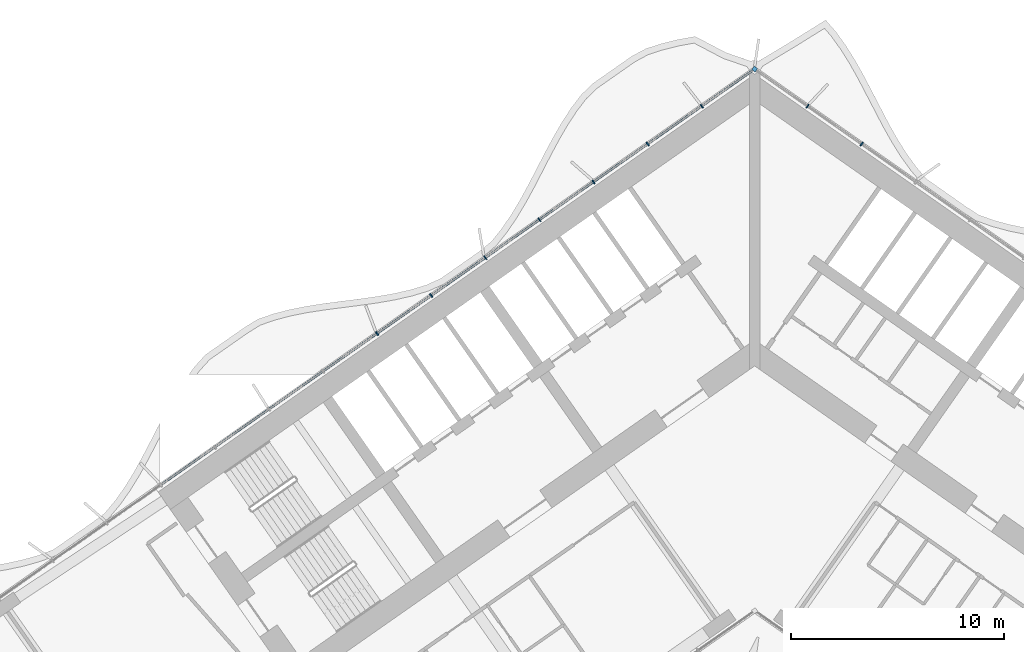
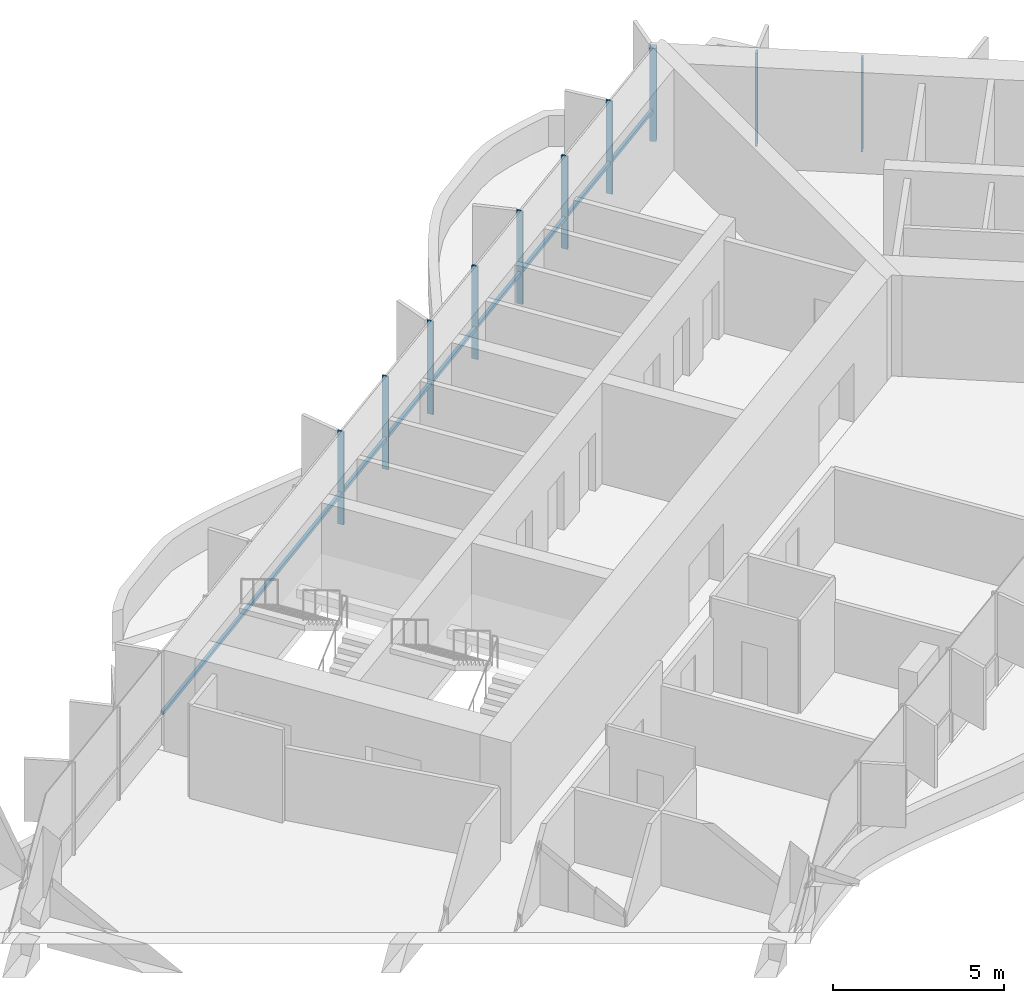
# One storey, part 7 of 23: 11 members, 1 element without a shape of its own.
"""IFC4 building model written with IfcOpenShell, lengths in metres."""

import ifcopenshell
import ifcopenshell.guid

model = None  # the IFC model being written
_history = None  # IfcOwnerHistory: only IFC2X3 demands one
_inside = {}  # id of a spatial element -> (the spatial element, [elements in it])
_under = {}  # id of a project, library or spatial element -> (it, [spatial elements below it])
_declared = {}  # id of a project -> (the project, [libraries it declares])
_typed = {}  # id of a type object -> (the type object, [elements of that type])
_made_of = {}  # id of a material, layer set ... -> (it, [elements and type objects made of it])


def new_model(schema):
    """Start an empty IFC model of exactly this schema.

    Asked for "IFC4X3", IfcOpenShell would pick the latest addendum, in which some entities
    have other attributes; the version numbers below select the first issue.
    IFC2X3 requires an IfcOwnerHistory on every rooted entity: one is made here for all.
    """
    global model, _history
    if schema == "IFC4X3":
        model = ifcopenshell.file(schema_version=(4, 3, 0, 0))
    else:
        model = ifcopenshell.file(schema=schema)
    _inside.clear()
    _under.clear()
    _declared.clear()
    _typed.clear()
    _made_of.clear()
    _history = None
    if model.schema == "IFC2X3":
        org = make("IfcOrganization", Name="unknown")
        user = make(
            "IfcPersonAndOrganization",
            ThePerson=make("IfcPerson", FamilyName="unknown"),
            TheOrganization=org,
        )
        app = make(
            "IfcApplication",
            ApplicationDeveloper=org,
            Version="unknown",
            ApplicationFullName="unknown",
            ApplicationIdentifier="unknown",
        )
        _history = make(
            "IfcOwnerHistory",
            OwningUser=user,
            OwningApplication=app,
            ChangeAction="ADDED",
            CreationDate=0,
        )
    return model


def make(cls, **values):
    """One entity of the class cls with the attributes given. An attribute that is None is left unset."""
    return model.create_entity(
        cls, **{name: value for name, value in values.items() if value is not None}
    )


def rooted(cls, **values):
    """An entity with a GlobalId (a new one), such as an element, a storey or a relation."""
    return make(cls, GlobalId=ifcopenshell.guid.new(), OwnerHistory=_history, **values)


def si_unit(unit_type, name, prefix=None):
    """IfcSIUnit, for example si_unit("LENGTHUNIT", "METRE", prefix="MILLI")."""
    return make("IfcSIUnit", UnitType=unit_type, Prefix=prefix, Name=name)


def assignment(units):
    """IfcUnitAssignment: the units of a project."""
    return None if units is None else make("IfcUnitAssignment", Units=units)


def point(xyz):
    """IfcCartesianPoint."""
    return None if xyz is None else make("IfcCartesianPoint", Coordinates=xyz)


def direction(xyz):
    """IfcDirection."""
    return None if xyz is None else make("IfcDirection", DirectionRatios=xyz)


def frame(location, z_axis=None, x_axis=None):
    """IfcAxis2Placement3D, a coordinate frame: its origin and axes. An axis left out is left unset."""
    return make(
        "IfcAxis2Placement3D",
        Location=point(location),
        Axis=direction(z_axis),
        RefDirection=direction(x_axis),
    )


def frame_2d(location, x_axis=None):
    """IfcAxis2Placement2D, a coordinate frame in the plane: its origin and x axis."""
    return make(
        "IfcAxis2Placement2D", Location=point(location), RefDirection=direction(x_axis)
    )


def origin():
    """The frame at (0, 0, 0) with its axes left unset."""
    return frame((0.0, 0.0, 0.0))


def origin_2d():
    """The frame at (0, 0) in the plane with its x axis left unset."""
    return frame_2d((0.0, 0.0))


def place(relative_to, where):
    """IfcLocalPlacement: puts the frame where relative to a parent placement (None: the world)."""
    return make(
        "IfcLocalPlacement", PlacementRelTo=relative_to, RelativePlacement=where
    )


def context(
    kind, dimensions, precision=None, world=None, true_north=None, identifier=None
):
    """IfcGeometricRepresentationContext, for example the 3D "Model" context."""
    return make(
        "IfcGeometricRepresentationContext",
        ContextIdentifier=identifier,
        ContextType=kind,
        CoordinateSpaceDimension=dimensions,
        Precision=precision,
        WorldCoordinateSystem=world,
        TrueNorth=true_north,
    )


def subcontext(parent, identifier, kind, view, scale=None):
    """IfcGeometricRepresentationSubContext, for example "Body" below "Model"."""
    return make(
        "IfcGeometricRepresentationSubContext",
        ContextIdentifier=identifier,
        ContextType=kind,
        ParentContext=parent,
        TargetScale=scale,
        TargetView=view,
    )


def project(units=None, contexts=None):
    """IfcProject with its units and contexts."""
    return rooted(
        "IfcProject",
        Name="project",
        RepresentationContexts=contexts,
        UnitsInContext=assignment(units),
    )


def spatial(cls, under=None, at=None, **own):
    """A site, building, storey or space (cls), placed at a placement, below another one or the project."""
    s = rooted(cls, ObjectPlacement=at, **own)
    if under is not None:
        _under.setdefault(under.id(), (under, []))[1].append(s)
    return s


def profile(cls, at=None, kind="AREA", **sizes):
    """A parametric profile (cls). Its sizes go by their IFC names, for example OverallWidth=200.0."""
    return make(cls, ProfileType=kind, Position=at, **sizes)


def rectangle(**sizes):
    """IfcRectangleProfileDef."""
    return profile("IfcRectangleProfileDef", **sizes)


def extrude(swept, where, along, depth):
    """IfcExtrudedAreaSolid: the profile swept, set in the frame where, extruded along a direction by depth."""
    return make(
        "IfcExtrudedAreaSolid",
        SweptArea=swept,
        Position=where,
        ExtrudedDirection=direction(along),
        Depth=depth,
    )


def shape(context_of_items, identifier, shape_type, items):
    """IfcShapeRepresentation: the items that make up one representation, for example the "Body"."""
    return make(
        "IfcShapeRepresentation",
        ContextOfItems=context_of_items,
        RepresentationIdentifier=identifier,
        RepresentationType=shape_type,
        Items=items,
    )


def material(Name=None, Category=None):
    """IfcMaterial."""
    return make("IfcMaterial", Name=Name, Category=Category)


def material_profile(
    of_material, cross_section, Name=None, Category=None, Priority=None
):
    """IfcMaterialProfile: a cross section and its material."""
    return make(
        "IfcMaterialProfile",
        Name=Name,
        Material=of_material,
        Profile=cross_section,
        Priority=Priority,
        Category=Category,
    )


def profile_set(profiles, Name=None, composite=None):
    """IfcMaterialProfileSet."""
    return make(
        "IfcMaterialProfileSet",
        Name=Name,
        MaterialProfiles=profiles,
        CompositeProfile=composite,
    )


def made_of(thing, what):
    """Note that an element or type object is made of a material, layer set ...; save() writes the relation."""
    if what is not None:
        _made_of.setdefault(what.id(), (what, []))[1].append(thing)
    return thing


def type_object(cls, material=None, **own):
    """A type object (cls), such as IfcWallType, which elements share."""
    return made_of(rooted(cls, **own), material)


def element(
    cls,
    number,
    at=None,
    inside=None,
    cuts=None,
    type_object=None,
    material=None,
    context=None,
    identifier="Body",
    shape_type=None,
    held_by="IfcProductDefinitionShape",
    body=None,
    shapes=None,
    **own,
):
    """One element of the class cls, such as IfcWall. Its Tag is "e" and its number.

    at: its placement. inside: the storey or other place that contains it. cuts: it is an
    opening in that element (IfcRelVoidsElement). A single representation is given by context,
    identifier, shape_type and body (its items); several are given by shapes. held_by: the class
    of the entity that holds the representations. save() writes the other relations.
    """
    e = rooted(cls, Tag="e%d" % number, ObjectPlacement=at, **own)
    if body is not None:
        shapes = [shape(context, identifier, shape_type, body)]
    if shapes is not None:
        e.Representation = make(held_by, Representations=shapes)
    if inside is not None:
        _inside.setdefault(inside.id(), (inside, []))[1].append(e)
    if cuts is not None:
        rooted(
            "IfcRelVoidsElement", RelatingBuildingElement=cuts, RelatedOpeningElement=e
        )
    if type_object is not None:
        _typed.setdefault(type_object.id(), (type_object, []))[1].append(e)
    return made_of(e, material)


def aggregate(whole, parts):
    """IfcRelAggregates: a whole, such as a stair, and the parts it consists of."""
    return rooted("IfcRelAggregates", RelatingObject=whole, RelatedObjects=parts)


def save(model, path):
    """Write the relations noted so far, then the file.

    IfcRelAggregates (storeys below a building ...), IfcRelContainedInSpatialStructure (elements
    in a storey), IfcRelDefinesByType, IfcRelAssociatesMaterial and IfcRelDeclares: one each for
    every whole, place, type object, material and project.
    """
    for whole, parts in _under.values():
        aggregate(whole, parts)
    for where, things in _inside.values():
        rooted(
            "IfcRelContainedInSpatialStructure",
            RelatedElements=things,
            RelatingStructure=where,
        )
    for kind, things in _typed.values():
        rooted("IfcRelDefinesByType", RelatedObjects=things, RelatingType=kind)
    for what, things in _made_of.values():
        rooted("IfcRelAssociatesMaterial", RelatedObjects=things, RelatingMaterial=what)
    for by, libraries in _declared.values():
        rooted("IfcRelDeclares", RelatingContext=by, RelatedDefinitions=libraries)
    model.write(path)


model = new_model("IFC4")

# Units and contexts
model_context = context("Model", 3, precision=1e-05, world=origin(), true_north=direction((0.0, 1.0)))
body_context = subcontext(model_context, "Body", "Model", "MODEL_VIEW")
ifc_project = project(units=[si_unit("LENGTHUNIT", "METRE"), si_unit("AREAUNIT", "SQUARE_METRE"), si_unit("VOLUMEUNIT", "CUBIC_METRE"), si_unit("PLANEANGLEUNIT", "RADIAN"), si_unit("MASSUNIT", "GRAM", prefix="KILO")], contexts=[model_context])

# Site, building, storey
site_placement = place(None, origin())
site = spatial("IfcSite", under=ifc_project, at=site_placement, CompositionType="ELEMENT")
building_placement = place(site_placement, origin())
building = spatial("IfcBuilding", under=site, at=building_placement, Name="Tel Ilan Convention Tower", CompositionType="ELEMENT")
storey_placement = place(building_placement, frame((0.0, 0.0, 119.300048828125)))
storey = spatial("IfcBuildingStorey", under=building, at=storey_placement, Name="L26", CompositionType="ELEMENT", Elevation=119.300048828125)

# Curtain wall, members
ifc_material_1 = material(Name="Aluminium, bronze anodised", Category="aluminium")
curtain_wall_type = type_object("IfcCurtainWallType", Name="CW2 STICK CURTAIN WALL, SPANDREL PANELS", PredefinedType="NOTDEFINED", material=ifc_material_1)
curtain_wall_placement = place(storey_placement, origin())
curtain_wall = element("IfcCurtainWall", 1, at=curtain_wall_placement, inside=storey, type_object=curtain_wall_type, Name="Curtain wall CW2-20.01", PredefinedType="NOTDEFINED")
ifc_material_2 = material(Name="Aluminium, bronze anodised", Category="aluminium")
ifc_material_profile_1 = material_profile(ifc_material_2, rectangle(XDim=0.199951171875, YDim=0.199951171875, at=origin_2d()), Name="CW CORNER MULLION 200x200")
ifc_profile_set_1 = profile_set([ifc_material_profile_1], Name="Aluminium, bronze anodised")
member_type_1 = type_object("IfcMemberType", Name="CW CORNER MULLION 200x200", PredefinedType="MULLION", material=ifc_profile_set_1)
member_1_placement = place(storey_placement, frame((0.0, 12.696044921875, 0.0), z_axis=(0.0, 0.0, 1.0), x_axis=(-0.819152044289, 0.573576436351, 0.0)))
member_1 = element("IfcMember", 2, at=member_1_placement, type_object=member_type_1, Name="Corner mullion", PredefinedType="MULLION", context=body_context, shape_type="SweptSolid", body=[
    extrude(rectangle(XDim=0.199951171875, YDim=0.199951171875, at=origin_2d()), origin(), (0.0, 0.0, 1.0), 3.320068359375),
])
ifc_material_3 = material(Name="Aluminium, bronze anodised", Category="aluminium")
ifc_material_profile_2 = material_profile(ifc_material_3, rectangle(XDim=0.06005859375, YDim=0.199951171875, at=origin_2d()), Name="CW MULLION 60x200")
ifc_profile_set_2 = profile_set([ifc_material_profile_2], Name="Aluminium, bronze anodised")
member_type_2 = type_object("IfcMemberType", Name="CW MULLION 60x200", PredefinedType="MULLION", material=ifc_profile_set_2)
member_2_placement = place(storey_placement, frame((5.0166015625, 9.18359375, 0.0), z_axis=(0.0, 0.0, 1.0), x_axis=(-0.819152044289, 0.573576436351, 0.0)))
member_2 = element("IfcMember", 3, at=member_2_placement, type_object=member_type_2, Name="Mullion", PredefinedType="MULLION", context=body_context, shape_type="SweptSolid", body=[
    extrude(rectangle(XDim=0.06005859375, YDim=0.199951171875, at=origin_2d()), origin(), (0.0, 0.0, 1.0), 3.320068359375),
])
member_3_placement = place(storey_placement, frame((2.4794921875, 10.9599609375, 0.0), z_axis=(0.0, 0.0, 1.0), x_axis=(-0.819152044289, 0.573576436351, 0.0)))
member_3 = element("IfcMember", 4, at=member_3_placement, type_object=member_type_2, Name="Mullion", PredefinedType="MULLION", context=body_context, shape_type="SweptSolid", body=[
    extrude(rectangle(XDim=0.06005859375, YDim=0.199951171875, at=origin_2d()), origin(), (0.0, 0.0, 1.0), 3.320068359375),
])
member_4_placement = place(storey_placement, frame((-2.4794921875, 10.9599609375, 0.0), z_axis=(0.0, 0.0, 1.0), x_axis=(-0.819152044289, -0.573576436351, 0.0)))
member_4 = element("IfcMember", 5, at=member_4_placement, type_object=member_type_2, Name="Mullion", PredefinedType="MULLION", context=body_context, shape_type="SweptSolid", body=[
    extrude(rectangle(XDim=0.06005859375, YDim=0.199951171875, at=origin_2d()), origin(), (0.0, 0.0, 1.0), 3.320068359375),
])
member_5_placement = place(storey_placement, frame((-5.0166015625, 9.18359375, 0.0), z_axis=(0.0, 0.0, 1.0), x_axis=(-0.819152044289, -0.573576436351, 0.0)))
member_5 = element("IfcMember", 6, at=member_5_placement, type_object=member_type_2, Name="Mullion", PredefinedType="MULLION", context=body_context, shape_type="SweptSolid", body=[
    extrude(rectangle(XDim=0.06005859375, YDim=0.199951171875, at=origin_2d()), origin(), (0.0, 0.0, 1.0), 3.320068359375),
])
member_6_placement = place(storey_placement, frame((-7.553466796875, 7.406982421875, 0.0), z_axis=(0.0, 0.0, 1.0), x_axis=(-0.819152044289, -0.573576436351, 0.0)))
member_6 = element("IfcMember", 7, at=member_6_placement, type_object=member_type_2, Name="Mullion", PredefinedType="MULLION", context=body_context, shape_type="SweptSolid", body=[
    extrude(rectangle(XDim=0.06005859375, YDim=0.199951171875, at=origin_2d()), origin(), (0.0, 0.0, 1.0), 3.320068359375),
])
member_7_placement = place(storey_placement, frame((-10.09033203125, 5.630615234375, 0.0), z_axis=(0.0, 0.0, 1.0), x_axis=(-0.819152044289, -0.573576436351, 0.0)))
member_7 = element("IfcMember", 8, at=member_7_placement, type_object=member_type_2, Name="Mullion", PredefinedType="MULLION", context=body_context, shape_type="SweptSolid", body=[
    extrude(rectangle(XDim=0.06005859375, YDim=0.199951171875, at=origin_2d()), origin(), (0.0, 0.0, 1.0), 3.320068359375),
])
member_8_placement = place(storey_placement, frame((-12.627197265625, 3.854248046875, 0.0), z_axis=(0.0, 0.0, 1.0), x_axis=(-0.819152044289, -0.573576436351, 0.0)))
member_8 = element("IfcMember", 9, at=member_8_placement, type_object=member_type_2, Name="Mullion", PredefinedType="MULLION", context=body_context, shape_type="SweptSolid", body=[
    extrude(rectangle(XDim=0.06005859375, YDim=0.199951171875, at=origin_2d()), origin(), (0.0, 0.0, 1.0), 3.320068359375),
])
member_9_placement = place(storey_placement, frame((-15.1640625, 2.077880859375, 0.0), z_axis=(0.0, 0.0, 1.0), x_axis=(-0.819152044289, -0.573576436351, 0.0)))
member_9 = element("IfcMember", 10, at=member_9_placement, type_object=member_type_2, Name="Mullion", PredefinedType="MULLION", context=body_context, shape_type="SweptSolid", body=[
    extrude(rectangle(XDim=0.06005859375, YDim=0.199951171875, at=origin_2d()), origin(), (0.0, 0.0, 1.0), 3.320068359375),
])
member_10_placement = place(storey_placement, frame((-17.701171875, 0.301513671875, 0.0), z_axis=(0.0, 0.0, 1.0), x_axis=(-0.819152044289, -0.573576436351, 0.0)))
member_10 = element("IfcMember", 11, at=member_10_placement, type_object=member_type_2, Name="Mullion", PredefinedType="MULLION", context=body_context, shape_type="SweptSolid", body=[
    extrude(rectangle(XDim=0.06005859375, YDim=0.199951171875, at=origin_2d()), origin(), (0.0, 0.0, 1.0), 3.320068359375),
])
ifc_material_4 = material(Name="Aluminium, bronze anodised", Category="aluminium")
ifc_material_profile_3 = material_profile(ifc_material_4, rectangle(XDim=0.10009765625, YDim=0.1201171875, at=origin_2d()), Name="CW TRANSOM 100x120")
ifc_profile_set_3 = profile_set([ifc_material_profile_3], Name="Aluminium, bronze anodised")
member_type_3 = type_object("IfcMemberType", Name="CW TRANSOM 100x120", PredefinedType="USERDEFINED", material=ifc_profile_set_3)
member_11_placement = place(storey_placement, frame((-0.1064453125, 12.62158203125, 1.099853515625), z_axis=(-0.819151916241, -0.573576619222, 0.0), x_axis=(0.573576619222, -0.819151916241, 0.0)))
member_11 = element("IfcMember", 12, at=member_11_placement, type_object=member_type_3, Name="Transom", ObjectType="TRANSOM", PredefinedType="USERDEFINED", context=body_context, shape_type="SweptSolid", body=[
    extrude(rectangle(XDim=0.10009765625, YDim=0.1201171875, at=origin_2d()), origin(), (0.0, 0.0, 1.0), 33.837158203125),
])
aggregate(curtain_wall, [member_2, member_3, member_1, member_4, member_5, member_6, member_7, member_8, member_9, member_10, member_11])

save(model, "model.ifc")
